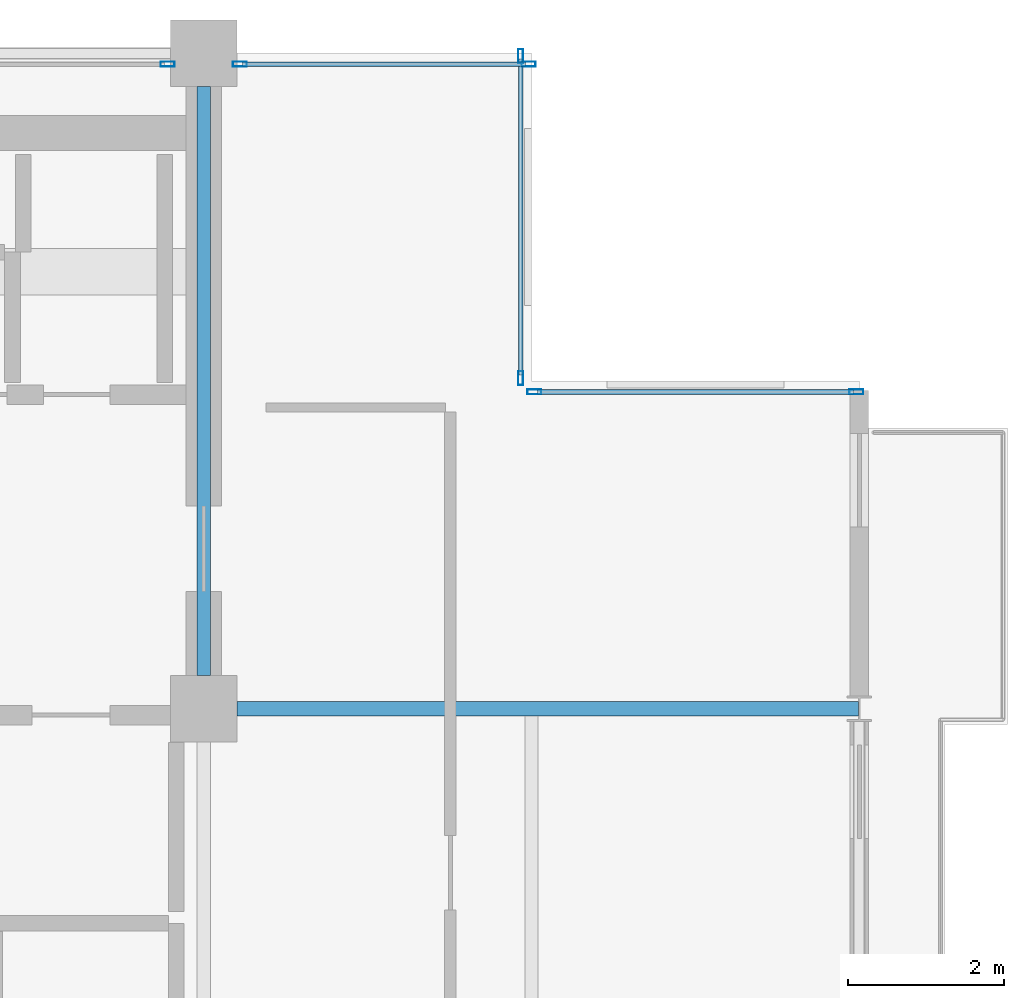
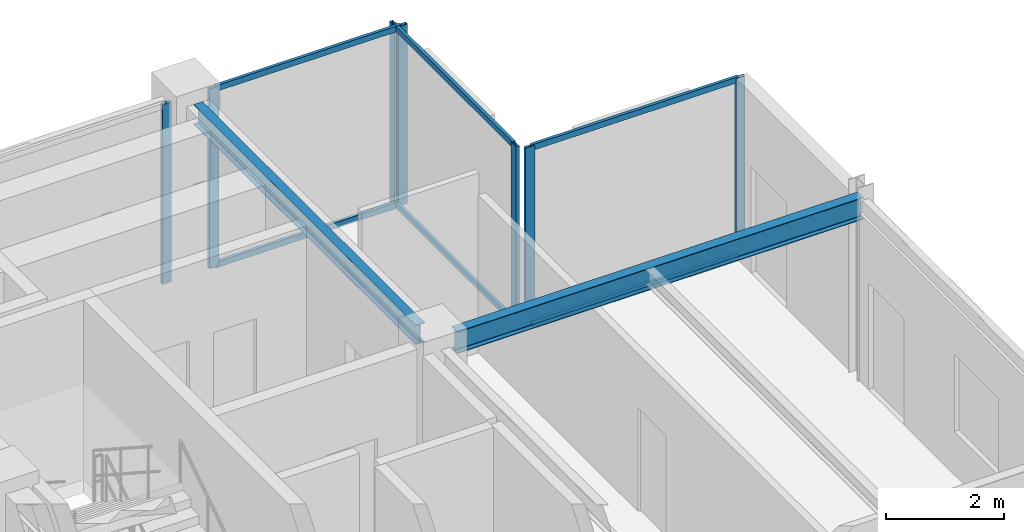
# One storey, part 19 of 26: 13 members, 2 beams, 4 elements without a shape of their own.
"""IFC4 building model written with IfcOpenShell, lengths in metres."""

from ifc_helpers import new_model, si_unit, direction, frame, origin, origin_2d, place, context, subcontext, project, spatial, hollow_rectangle, i_section, extrude, material, layer, layer_set, material_profile, profile_set, type_object, element, aggregate, save


model = new_model("IFC4")

# Units and contexts
model_context = context("Model", 3, precision=1e-05, world=origin(), true_north=direction((0.0, 1.0)))
body_context = subcontext(model_context, "Body", "Model", "MODEL_VIEW")
ifc_project = project(units=[si_unit("LENGTHUNIT", "METRE"), si_unit("AREAUNIT", "SQUARE_METRE"), si_unit("VOLUMEUNIT", "CUBIC_METRE"), si_unit("PLANEANGLEUNIT", "RADIAN"), si_unit("MASSUNIT", "GRAM", prefix="KILO")], contexts=[model_context])

# Site, building, storey
site_placement = place(None, origin())
site = spatial("IfcSite", under=ifc_project, at=site_placement, CompositionType="ELEMENT")
building_placement = place(site_placement, origin())
building = spatial("IfcBuilding", under=site, at=building_placement, Name="Nerrivon Quay Data Exchange", CompositionType="ELEMENT")
storey_placement = place(building_placement, frame((0.0, 0.0, 262.199951171875)))
storey = spatial("IfcBuildingStorey", under=building, at=storey_placement, Name="L62", CompositionType="ELEMENT", Elevation=262.199951171875)

# Beams
ifc_material_1 = material(Name="Steel Grade 350", Category="steel")
ifc_material_profile_1 = material_profile(ifc_material_1, i_section(OverallWidth=0.18994140625, OverallDepth=0.4541015625, WebThickness=0.008544921875, FlangeThickness=0.0126953125, FilletRadius=0.011474609375, at=origin_2d()), Name="460UB67.1")
ifc_profile_set_1 = profile_set([ifc_material_profile_1], Name="Steel Grade 350")
beam_type_1 = type_object("IfcBeamType", Name="BM-G6-460UB67", PredefinedType="BEAM", material=ifc_profile_set_1)
beam_1_placement = place(storey_placement, frame((17.22509765625, 33.60009765625, 3.498046875), z_axis=(1.0, 0.0, 0.0), x_axis=(0.0, 1.0, 0.0)))
element("IfcBeam", 1, at=beam_1_placement, inside=storey, type_object=beam_type_1, Name="L62 EW Girder Y=33.6 (16.8..25.2)", PredefinedType="BEAM", context=body_context, shape_type="SweptSolid", body=[
    extrude(i_section(OverallWidth=0.18994140625, OverallDepth=0.4541015625, WebThickness=0.008544921875, FlangeThickness=0.0126953125, FilletRadius=0.011474609375, at=origin_2d()), origin(), (0.0, 0.0, 1.0), 7.967041015625),
])
ifc_material_profile_2 = material_profile(ifc_material_1, i_section(OverallWidth=0.177978515625, OverallDepth=0.406005859375, WebThickness=0.0078125, FlangeThickness=0.0126953125, FilletRadius=0.011474609375, at=origin_2d()), Name="410UB59.7")
ifc_profile_set_2 = profile_set([ifc_material_profile_2], Name="Steel Grade 350")
beam_type_2 = type_object("IfcBeamType", Name="BM-J1-410UB60", PredefinedType="JOIST", material=ifc_profile_set_2)
beam_2_placement = place(storey_placement, frame((16.800048828125, 34.02490234375, 3.52197265625), z_axis=(0.0, 1.0, 0.0), x_axis=(-1.0, 0.0, 0.0)))
element("IfcBeam", 2, at=beam_2_placement, inside=storey, type_object=beam_type_2, Name="L62 NS Girder X=16.8 (33.6..42.0)", PredefinedType="JOIST", context=body_context, shape_type="SweptSolid", body=[
    extrude(i_section(OverallWidth=0.177978515625, OverallDepth=0.406005859375, WebThickness=0.0078125, FlangeThickness=0.0126953125, FilletRadius=0.011474609375, at=origin_2d()), origin(), (0.0, 0.0, 1.0), 7.550048828125),
])

# Curtain wall, member
ifc_material_2 = material(Name="Anodised aluminium 6063-T6", Category="aluminium")
ifc_layer = layer(ifc_material_2, 0.195068359375)
ifc_layer_set = layer_set([ifc_layer], Name="Anodised aluminium 6063-T6")
curtain_wall_type = type_object("IfcCurtainWallType", Name="CW-SYS-06", PredefinedType="NOTDEFINED", material=ifc_layer_set)
curtain_wall_1_placement = place(storey_placement, origin())
curtain_wall_1 = element("IfcCurtainWall", 3, at=curtain_wall_1_placement, inside=storey, type_object=curtain_wall_type, Name="L62 Unitised Curtain Wall 18", PredefinedType="NOTDEFINED")
ifc_material_profile_3 = material_profile(ifc_material_2, hollow_rectangle(XDim=0.06494140625, YDim=0.179931640625, WallThickness=0.00341796875, at=origin_2d()), Name="ALU-MULL-180x65")
ifc_profile_set_3 = profile_set([ifc_material_profile_3], Name="Anodised aluminium 6063-T6")
member_type_1 = type_object("IfcMemberType", Name="CWM-180x65", PredefinedType="MULLION", material=ifc_profile_set_3)
member_1_placement = place(storey_placement, frame((16.33740234375, 41.860107421875, 0.0), z_axis=(0.0, 0.0, 1.0), x_axis=(0.0, 1.0, 0.0)))
member_1 = element("IfcMember", 4, at=member_1_placement, type_object=member_type_1, Name="CW06 mullion 2", PredefinedType="MULLION", context=body_context, shape_type="SweptSolid", body=[
    extrude(hollow_rectangle(XDim=0.06494140625, YDim=0.179931640625, WallThickness=0.00341796875, at=origin_2d()), origin(), (0.0, 0.0, 1.0), 3.72509765625),
])
aggregate(curtain_wall_1, [member_1])

# Curtain wall, members
curtain_wall_2_placement = place(storey_placement, origin())
curtain_wall_2 = element("IfcCurtainWall", 5, at=curtain_wall_2_placement, inside=storey, type_object=curtain_wall_type, Name="L62 Unitised Curtain Wall 19", PredefinedType="NOTDEFINED")
member_2_placement = place(storey_placement, frame((17.262451171875, 41.860107421875, 0.0), z_axis=(0.0, 0.0, 1.0), x_axis=(0.0, 1.0, 0.0)))
member_2 = element("IfcMember", 6, at=member_2_placement, type_object=member_type_1, Name="CW06 mullion 1", PredefinedType="MULLION", context=body_context, shape_type="SweptSolid", body=[
    extrude(hollow_rectangle(XDim=0.06494140625, YDim=0.179931640625, WallThickness=0.00341796875, at=origin_2d()), origin(), (0.0, 0.0, 1.0), 3.72509765625),
])
member_3_placement = place(storey_placement, frame((20.96240234375, 41.860107421875, 0.0), z_axis=(0.0, 0.0, 1.0), x_axis=(0.0, 1.0, 0.0)))
member_3 = element("IfcMember", 7, at=member_3_placement, type_object=member_type_1, Name="CW06 mullion 2", PredefinedType="MULLION", context=body_context, shape_type="SweptSolid", body=[
    extrude(hollow_rectangle(XDim=0.06494140625, YDim=0.179931640625, WallThickness=0.00341796875, at=origin_2d()), origin(), (0.0, 0.0, 1.0), 3.72509765625),
])

curtain_wall_3_placement = place(storey_placement, origin())
curtain_wall_3 = element("IfcCurtainWall", 8, at=curtain_wall_3_placement, inside=storey, type_object=curtain_wall_type, Name="L62 Unitised Curtain Wall 20", PredefinedType="NOTDEFINED")
member_4_placement = place(storey_placement, frame((20.860107421875, 41.96240234375, 0.0), z_axis=(0.0, 0.0, 1.0), x_axis=(1.0, 0.0, 0.0)))
member_4 = element("IfcMember", 9, at=member_4_placement, type_object=member_type_1, Name="CW06 mullion 1", PredefinedType="MULLION", context=body_context, shape_type="SweptSolid", body=[
    extrude(hollow_rectangle(XDim=0.06494140625, YDim=0.179931640625, WallThickness=0.00341796875, at=origin_2d()), origin(), (0.0, 0.0, 1.0), 3.72509765625),
])
member_5_placement = place(storey_placement, frame((20.860107421875, 37.83740234375, 0.0), z_axis=(0.0, 0.0, 1.0), x_axis=(1.0, 0.0, 0.0)))
member_5 = element("IfcMember", 10, at=member_5_placement, type_object=member_type_1, Name="CW06 mullion 2", PredefinedType="MULLION", context=body_context, shape_type="SweptSolid", body=[
    extrude(hollow_rectangle(XDim=0.06494140625, YDim=0.179931640625, WallThickness=0.00341796875, at=origin_2d()), origin(), (0.0, 0.0, 1.0), 3.72509765625),
])

curtain_wall_4_placement = place(storey_placement, origin())
curtain_wall_4 = element("IfcCurtainWall", 11, at=curtain_wall_4_placement, inside=storey, type_object=curtain_wall_type, Name="L62 Unitised Curtain Wall 21", PredefinedType="NOTDEFINED")
member_6_placement = place(storey_placement, frame((21.03759765625, 37.659912109375, 0.0), z_axis=(0.0, 0.0, 1.0), x_axis=(0.0, 1.0, 0.0)))
member_6 = element("IfcMember", 12, at=member_6_placement, type_object=member_type_1, Name="CW06 mullion 1", PredefinedType="MULLION", context=body_context, shape_type="SweptSolid", body=[
    extrude(hollow_rectangle(XDim=0.06494140625, YDim=0.179931640625, WallThickness=0.00341796875, at=origin_2d()), origin(), (0.0, 0.0, 1.0), 3.72509765625),
])
member_7_placement = place(storey_placement, frame((25.16259765625, 37.659912109375, 0.0), z_axis=(0.0, 0.0, 1.0), x_axis=(0.0, 1.0, 0.0)))
member_7 = element("IfcMember", 13, at=member_7_placement, type_object=member_type_1, Name="CW06 mullion 2", PredefinedType="MULLION", context=body_context, shape_type="SweptSolid", body=[
    extrude(hollow_rectangle(XDim=0.06494140625, YDim=0.179931640625, WallThickness=0.00341796875, at=origin_2d()), origin(), (0.0, 0.0, 1.0), 3.72509765625),
])

# Member
ifc_material_profile_4 = material_profile(ifc_material_2, hollow_rectangle(XDim=0.06005859375, YDim=0.1201171875, WallThickness=0.003173828125, at=origin_2d()), Name="ALU-TRAN-120x60")
ifc_profile_set_4 = profile_set([ifc_material_profile_4], Name="Anodised aluminium 6063-T6")
member_type_2 = type_object("IfcMemberType", Name="CWT-120x60", PredefinedType="USERDEFINED", material=ifc_profile_set_4)
member_8_placement = place(storey_placement, frame((17.300048828125, 41.860107421875, 0.032470703125), z_axis=(1.0, 0.0, 0.0), x_axis=(0.0, 1.0, 0.0)))
member_8 = element("IfcMember", 14, at=member_8_placement, type_object=member_type_2, Name="CW06 transom 1.1", ObjectType="TRANSOM", PredefinedType="USERDEFINED", context=body_context, shape_type="SweptSolid", body=[
    extrude(hollow_rectangle(XDim=0.06005859375, YDim=0.1201171875, WallThickness=0.003173828125, at=origin_2d()), origin(), (0.0, 0.0, 1.0), 3.625),
])

member_9_placement = place(storey_placement, frame((17.300048828125, 41.860107421875, 3.692626953125), z_axis=(1.0, 0.0, 0.0), x_axis=(0.0, 1.0, 0.0)))
member_9 = element("IfcMember", 15, at=member_9_placement, type_object=member_type_2, Name="CW06 transom 1.2", ObjectType="TRANSOM", PredefinedType="USERDEFINED", context=body_context, shape_type="SweptSolid", body=[
    extrude(hollow_rectangle(XDim=0.06005859375, YDim=0.1201171875, WallThickness=0.003173828125, at=origin_2d()), origin(), (0.0, 0.0, 1.0), 3.625),
])

aggregate(curtain_wall_2, [member_2, member_3, member_8, member_9])

member_10_placement = place(storey_placement, frame((20.860107421875, 41.925048828125, 0.032470703125), z_axis=(0.0, -1.0, 0.0), x_axis=(1.0, 0.0, 0.0)))
member_10 = element("IfcMember", 16, at=member_10_placement, type_object=member_type_2, Name="CW06 transom 1.1", ObjectType="TRANSOM", PredefinedType="USERDEFINED", context=body_context, shape_type="SweptSolid", body=[
    extrude(hollow_rectangle(XDim=0.06005859375, YDim=0.1201171875, WallThickness=0.003173828125, at=origin_2d()), origin(), (0.0, 0.0, 1.0), 4.050048828125),
])

member_11_placement = place(storey_placement, frame((20.860107421875, 41.925048828125, 3.692626953125), z_axis=(0.0, -1.0, 0.0), x_axis=(1.0, 0.0, 0.0)))
member_11 = element("IfcMember", 17, at=member_11_placement, type_object=member_type_2, Name="CW06 transom 1.2", ObjectType="TRANSOM", PredefinedType="USERDEFINED", context=body_context, shape_type="SweptSolid", body=[
    extrude(hollow_rectangle(XDim=0.06005859375, YDim=0.1201171875, WallThickness=0.003173828125, at=origin_2d()), origin(), (0.0, 0.0, 1.0), 4.050048828125),
])

aggregate(curtain_wall_3, [member_4, member_5, member_10, member_11])

member_12_placement = place(storey_placement, frame((21.074951171875, 37.659912109375, 0.032470703125), z_axis=(1.0, 0.0, 0.0), x_axis=(0.0, 1.0, 0.0)))
member_12 = element("IfcMember", 18, at=member_12_placement, type_object=member_type_2, Name="CW06 transom 1.1", ObjectType="TRANSOM", PredefinedType="USERDEFINED", context=body_context, shape_type="SweptSolid", body=[
    extrude(hollow_rectangle(XDim=0.06005859375, YDim=0.1201171875, WallThickness=0.003173828125, at=origin_2d()), origin(), (0.0, 0.0, 1.0), 4.050048828125),
])

member_13_placement = place(storey_placement, frame((21.074951171875, 37.659912109375, 3.692626953125), z_axis=(1.0, 0.0, 0.0), x_axis=(0.0, 1.0, 0.0)))
member_13 = element("IfcMember", 19, at=member_13_placement, type_object=member_type_2, Name="CW06 transom 1.2", ObjectType="TRANSOM", PredefinedType="USERDEFINED", context=body_context, shape_type="SweptSolid", body=[
    extrude(hollow_rectangle(XDim=0.06005859375, YDim=0.1201171875, WallThickness=0.003173828125, at=origin_2d()), origin(), (0.0, 0.0, 1.0), 4.050048828125),
])

aggregate(curtain_wall_4, [member_6, member_7, member_12, member_13])

save(model, "model.ifc")
